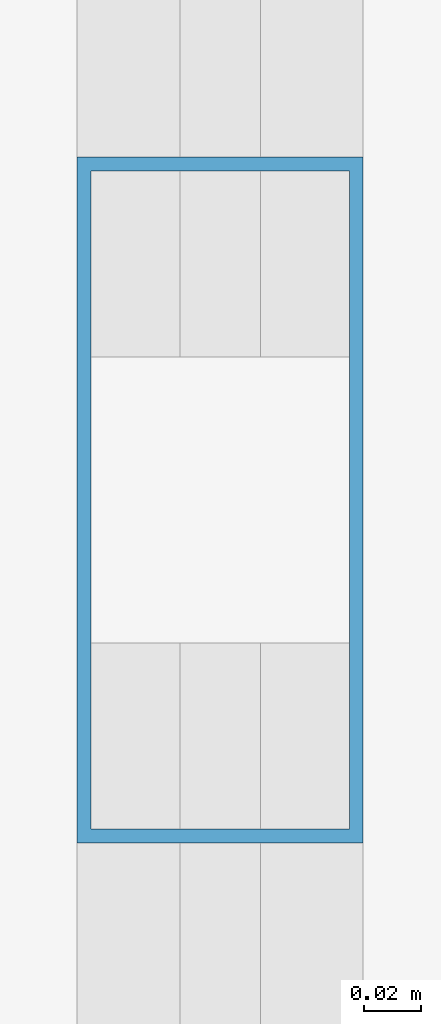
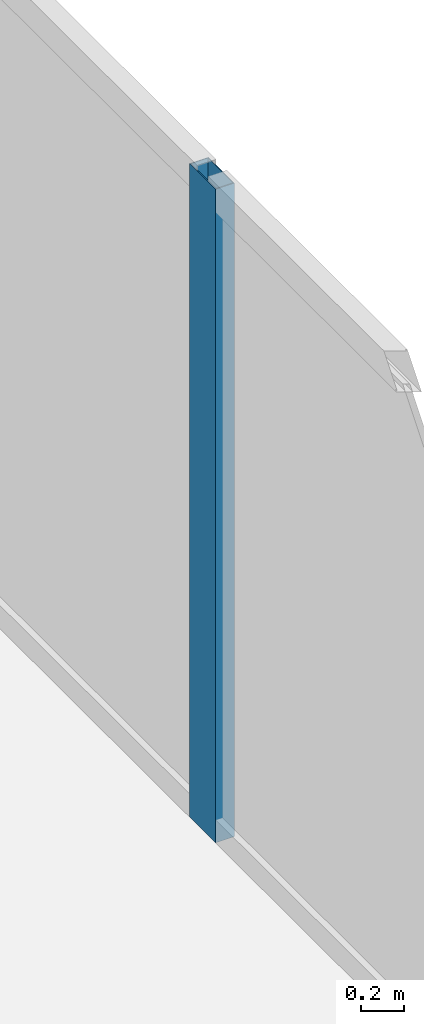
# One storey, part 9 of 25: 1 member, 1 element without a shape of its own.
"""IFC4 building model written with IfcOpenShell, lengths in metres."""

from ifc_helpers import new_model, si_unit, direction, frame, origin, origin_2d, place, context, subcontext, project, spatial, hollow_rectangle, extrude, material, layer, layer_set, material_profile, profile_set, type_object, element, aggregate, save


model = new_model("IFC4")

# Units and contexts
model_context = context("Model", 3, precision=1e-05, world=origin(), true_north=direction((0.0, 1.0)))
body_context = subcontext(model_context, "Body", "Model", "MODEL_VIEW")
ifc_project = project(units=[si_unit("LENGTHUNIT", "METRE"), si_unit("AREAUNIT", "SQUARE_METRE"), si_unit("VOLUMEUNIT", "CUBIC_METRE"), si_unit("PLANEANGLEUNIT", "RADIAN"), si_unit("MASSUNIT", "GRAM", prefix="KILO")], contexts=[model_context])

# Site, building, storey
site_placement = place(None, origin())
site = spatial("IfcSite", under=ifc_project, at=site_placement, CompositionType="ELEMENT")
building_placement = place(site_placement, origin())
building = spatial("IfcBuilding", under=site, at=building_placement, Name="Khorvyn Point Tower", CompositionType="ELEMENT")
storey_placement = place(building_placement, frame((0.0, 0.0, 171.89990234375)))
storey = spatial("IfcBuildingStorey", under=building, at=storey_placement, Name="L42", CompositionType="ELEMENT", Elevation=171.89990234375)

# Curtain wall, member
ifc_material_1 = material(Name="Anodised aluminium 6063-T6 and laminated Low-E glass", Category="aluminium")
ifc_layer = layer(ifc_material_1, 0.18994140625)
ifc_layer_set = layer_set([ifc_layer], Name="Stick-Built Acoustic Curtain Wall CW-SYS-03")
curtain_wall_type = type_object("IfcCurtainWallType", Name="Stick-Built Acoustic Curtain Wall CW-SYS-03", PredefinedType="NOTDEFINED", material=ifc_layer_set)
curtain_wall_placement = place(storey_placement, origin())
curtain_wall = element("IfcCurtainWall", 1, at=curtain_wall_placement, inside=storey, type_object=curtain_wall_type, Name="Curtain Wall", PredefinedType="NOTDEFINED")
ifc_material_2 = material(Name="Anodised aluminium 6063-T6", Category="aluminium")
ifc_material_profile = material_profile(ifc_material_2, hollow_rectangle(XDim=0.10009765625, YDim=0.239990234375, WallThickness=0.0048828125, at=origin_2d()))
ifc_profile_set = profile_set([ifc_material_profile], Name="Anodised aluminium 6063-T6 ALU-MUL-100x240")
member_type = type_object("IfcMemberType", Name="Anodised Aluminium 6063-T6 Mullion ALU-MUL-100x240", PredefinedType="MULLION", material=ifc_profile_set)
member_placement = place(storey_placement, frame((21.75, 0.0, 0.0), z_axis=(0.0, 0.0, 1.0), x_axis=(1.0, 0.0, 0.0)))
member = element("IfcMember", 2, at=member_placement, type_object=member_type, Name="Transom", PredefinedType="MULLION", context=body_context, shape_type="SweptSolid", body=[
    extrude(hollow_rectangle(XDim=0.10009765625, YDim=0.239990234375, WallThickness=0.0048828125, at=origin_2d()), origin(), (0.0, 0.0, 1.0), 3.68017578125),
])
aggregate(curtain_wall, [member])

save(model, "model.ifc")
